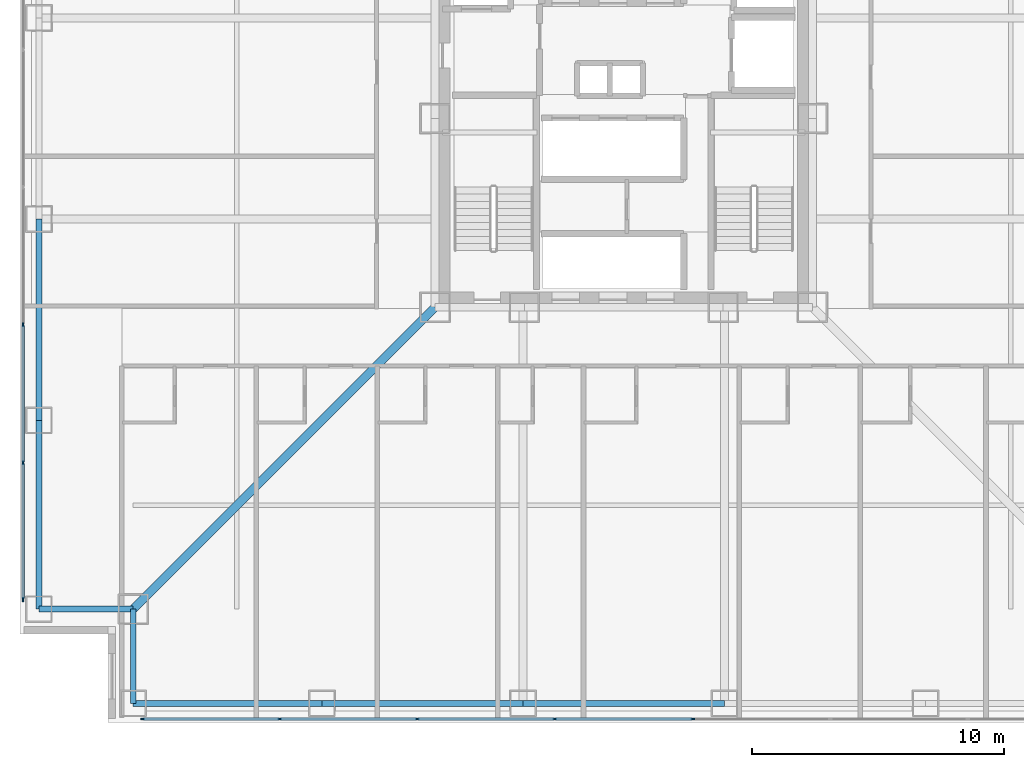
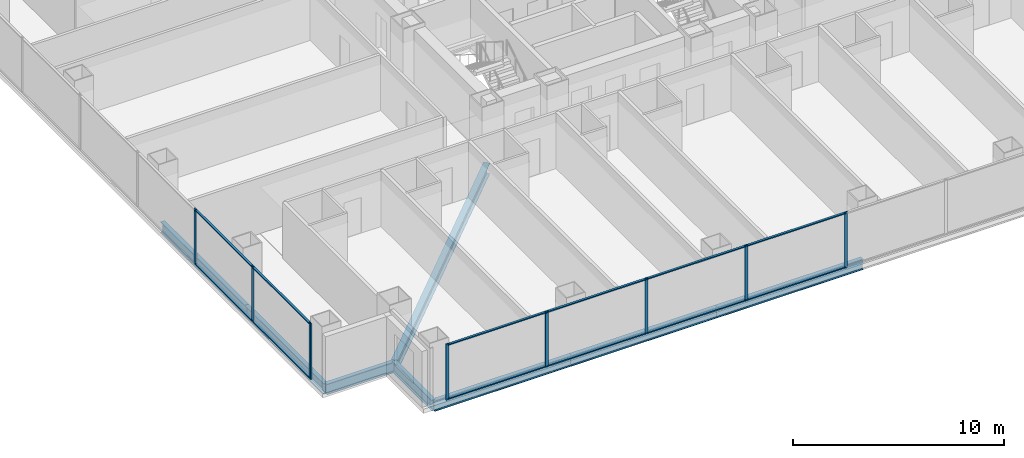
# One storey, part 2 of 20: 20 members, 8 beams, 2 elements without a shape of their own.
"""IFC4 building model written with IfcOpenShell, lengths in metres."""

from ifc_helpers import new_model, si_unit, direction, frame, origin, origin_2d, place, context, subcontext, project, spatial, rectangle, i_section, extrude, material, layer, layer_set, material_profile, profile_set, type_object, element, aggregate, save


model = new_model("IFC4")

# Units and contexts
model_context = context("Model", 3, precision=1e-05, world=origin(), true_north=direction((0.0, 1.0)))
body_context = subcontext(model_context, "Body", "Model", "MODEL_VIEW")
ifc_project = project(units=[si_unit("LENGTHUNIT", "METRE"), si_unit("AREAUNIT", "SQUARE_METRE"), si_unit("VOLUMEUNIT", "CUBIC_METRE"), si_unit("PLANEANGLEUNIT", "RADIAN"), si_unit("MASSUNIT", "GRAM", prefix="KILO")], contexts=[model_context])

# Site, building, storey
site_placement = place(None, origin())
site = spatial("IfcSite", under=ifc_project, at=site_placement, CompositionType="ELEMENT")
building_placement = place(site_placement, origin())
building = spatial("IfcBuilding", under=site, at=building_placement, Name="Trevonay Congress Spire", CompositionType="ELEMENT")
storey_placement = place(building_placement, frame((0.0, 0.0, 62.0)))
storey = spatial("IfcBuildingStorey", under=building, at=storey_placement, Name="L15", CompositionType="ELEMENT", Elevation=62.0)

# Beams
ifc_material_1 = material(Name="Steel ASTM A572 Grade 50", Category="steel")
ifc_material_profile_1 = material_profile(ifc_material_1, i_section(OverallWidth=0.324951171875, OverallDepth=0.615966796875, WebThickness=0.013916015625, FlangeThickness=0.021484375, FilletRadius=0.01806640625, at=origin_2d()), Name="W610x174")
ifc_profile_set_1 = profile_set([ifc_material_profile_1], Name="Steel ASTM A572 Grade 50")
beam_type_1 = type_object("IfcBeamType", Name="BM-GIRD-W610X174", PredefinedType="BEAM", material=ifc_profile_set_1)
beam_placement = place(storey_placement, frame((-7.5, -7.5, -0.55810546875), z_axis=(-0.707106781187, -0.707106781187, 0.0), x_axis=(0.707106781187, -0.707106781187, 0.0)))
element("IfcBeam", 1, at=beam_placement, inside=storey, type_object=beam_type_1, Name="L15 structural beam BM-L15-CDSW", PredefinedType="BEAM", context=body_context, shape_type="SweptSolid", body=[
    extrude(i_section(OverallWidth=0.324951171875, OverallDepth=0.615966796875, WebThickness=0.013916015625, FlangeThickness=0.021484375, FilletRadius=0.01806640625, at=origin_2d()), origin(), (0.0, 0.0, 1.0), 16.970458984375),
])
ifc_material_profile_2 = material_profile(ifc_material_1, i_section(OverallWidth=0.22998046875, OverallDepth=0.616943359375, WebThickness=0.01318359375, FlangeThickness=0.022216796875, FilletRadius=0.01611328125, at=origin_2d()), Name="W610x140")
ifc_profile_set_2 = profile_set([ifc_material_profile_2], Name="Steel ASTM A572 Grade 50")
beam_type_2 = type_object("IfcBeamType", Name="BM-RING-W610X140", PredefinedType="BEAM", material=ifc_profile_set_2)
for number, where, z_axis, x_axis, name in (
    (2, (-19.5, -23.25, -0.55859375), (1.0, 0.0, 0.0), (0.0, 1.0, 0.0), "L15 structural beam BM-L15-PS1"),
    (3, (-23.25, -19.5, -0.55859375), (0.0, 1.0, 0.0), (-1.0, 0.0, 0.0), "L15 structural beam BM-L15-PW1"),
):
    element("IfcBeam", number, at=place(storey_placement, frame(where, z_axis=z_axis, x_axis=x_axis)), inside=storey, type_object=beam_type_2, Name=name, PredefinedType="BEAM", context=body_context, shape_type="SweptSolid", body=[
        extrude(i_section(OverallWidth=0.22998046875, OverallDepth=0.616943359375, WebThickness=0.01318359375, FlangeThickness=0.022216796875, FilletRadius=0.01611328125, at=origin_2d()), origin(), (0.0, 0.0, 1.0), 7.5),
    ])
for number, where, z_axis, x_axis, name in (
    (4, (-12.0, -23.25, -0.55859375), (1.0, 0.0, 0.0), (0.0, 1.0, 0.0), "L15 structural beam BM-L15-PS2"),
    (5, (-23.25, -12.0, -0.55859375), (0.0, 1.0, 0.0), (-1.0, 0.0, 0.0), "L15 structural beam BM-L15-PW2"),
    (6, (-4.0, -23.25, -0.55859375), (1.0, 0.0, 0.0), (0.0, 1.0, 0.0), "L15 structural beam BM-L15-PS3"),
):
    element("IfcBeam", number, at=place(storey_placement, frame(where, z_axis=z_axis, x_axis=x_axis)), inside=storey, type_object=beam_type_2, Name=name, PredefinedType="BEAM", context=body_context, shape_type="SweptSolid", body=[
        extrude(i_section(OverallWidth=0.22998046875, OverallDepth=0.616943359375, WebThickness=0.01318359375, FlangeThickness=0.022216796875, FilletRadius=0.01611328125, at=origin_2d()), origin(), (0.0, 0.0, 1.0), 8.0),
    ])
for number, where, z_axis, x_axis, name in (
    (7, (-19.5, -23.25, -0.55859375), (0.0, 1.0, 0.0), (-1.0, 0.0, 0.0), "L15 structural beam BM-L15-N1SW"),
    (8, (-23.25, -19.5, -0.55859375), (1.0, 0.0, 0.0), (0.0, 1.0, 0.0), "L15 structural beam BM-L15-N2SW"),
):
    element("IfcBeam", number, at=place(storey_placement, frame(where, z_axis=z_axis, x_axis=x_axis)), inside=storey, type_object=beam_type_2, Name=name, PredefinedType="BEAM", context=body_context, shape_type="SweptSolid", body=[
        extrude(i_section(OverallWidth=0.22998046875, OverallDepth=0.616943359375, WebThickness=0.01318359375, FlangeThickness=0.022216796875, FilletRadius=0.01611328125, at=origin_2d()), origin(), (0.0, 0.0, 1.0), 3.75),
    ])

# Curtain wall, members
ifc_material_2 = material(Name="Pale Anodised Aluminium EN AW-6063-T6", Category="aluminium")
ifc_layer = layer(ifc_material_2, 0.179931640625, Name="Pale Anodised Aluminium EN AW-6063-T6")
ifc_layer_set = layer_set([ifc_layer], Name="Pale Anodised Aluminium EN AW-6063-T6")
curtain_wall_type = type_object("IfcCurtainWallType", Name="CW-SYS02-HOTEL-PALE-METAL", PredefinedType="NOTDEFINED", material=ifc_layer_set)
curtain_wall_1_placement = place(storey_placement, origin())
curtain_wall_1 = element("IfcCurtainWall", 9, at=curtain_wall_1_placement, inside=storey, type_object=curtain_wall_type, Name="L15 S unitised curtain wall", PredefinedType="NOTDEFINED")
ifc_material_profile_3 = material_profile(ifc_material_2, rectangle(XDim=0.06005859375, YDim=0.159912109375, at=origin_2d()), Name="CW-MULLION-160-ALUMINIUM")
ifc_profile_set_3 = profile_set([ifc_material_profile_3], Name="Pale Anodised Aluminium EN AW-6063-T6")
member_type_1 = type_object("IfcMemberType", Name="CW-MULLION-160-ALUMINIUM", PredefinedType="MULLION", material=ifc_profile_set_3)
member_1_placement = place(storey_placement, frame((-19.1201171875, -23.8798828125, 0.0), z_axis=(0.0, 0.0, 1.0), x_axis=(0.0, 1.0, 0.0)))
member_1 = element("IfcMember", 10, at=member_1_placement, type_object=member_type_1, Name="CW02 mullion 1", PredefinedType="MULLION", context=body_context, shape_type="SweptSolid", body=[
    extrude(rectangle(XDim=0.06005859375, YDim=0.159912109375, at=origin_2d()), origin(), (0.0, 0.0, 1.0), 3.25),
])
member_2_placement = place(storey_placement, frame((-13.678466796875, -23.8798828125, 0.0), z_axis=(0.0, 0.0, 1.0), x_axis=(0.0, 1.0, 0.0)))
member_2 = element("IfcMember", 11, at=member_2_placement, type_object=member_type_1, Name="CW02 mullion 2", PredefinedType="MULLION", context=body_context, shape_type="SweptSolid", body=[
    extrude(rectangle(XDim=0.06005859375, YDim=0.159912109375, at=origin_2d()), origin(), (0.0, 0.0, 1.0), 3.25),
])
member_3_placement = place(storey_placement, frame((-8.20703125, -23.8798828125, 0.0), z_axis=(0.0, 0.0, 1.0), x_axis=(0.0, 1.0, 0.0)))
member_3 = element("IfcMember", 12, at=member_3_placement, type_object=member_type_1, Name="CW02 mullion 3", PredefinedType="MULLION", context=body_context, shape_type="SweptSolid", body=[
    extrude(rectangle(XDim=0.06005859375, YDim=0.159912109375, at=origin_2d()), origin(), (0.0, 0.0, 1.0), 3.25),
])
member_4_placement = place(storey_placement, frame((-2.735595703125, -23.8798828125, 0.0), z_axis=(0.0, 0.0, 1.0), x_axis=(0.0, 1.0, 0.0)))
member_4 = element("IfcMember", 13, at=member_4_placement, type_object=member_type_1, Name="CW02 mullion 4", PredefinedType="MULLION", context=body_context, shape_type="SweptSolid", body=[
    extrude(rectangle(XDim=0.06005859375, YDim=0.159912109375, at=origin_2d()), origin(), (0.0, 0.0, 1.0), 3.25),
])
member_5_placement = place(storey_placement, frame((2.735595703125, -23.8798828125, 0.0), z_axis=(0.0, 0.0, 1.0), x_axis=(0.0, 1.0, 0.0)))
member_5 = element("IfcMember", 14, at=member_5_placement, type_object=member_type_1, Name="CW02 mullion 5", PredefinedType="MULLION", context=body_context, shape_type="SweptSolid", body=[
    extrude(rectangle(XDim=0.06005859375, YDim=0.159912109375, at=origin_2d()), origin(), (0.0, 0.0, 1.0), 3.25),
])

curtain_wall_2_placement = place(storey_placement, origin())
curtain_wall_2 = element("IfcCurtainWall", 15, at=curtain_wall_2_placement, inside=storey, type_object=curtain_wall_type, Name="L15 W unitised curtain wall", PredefinedType="NOTDEFINED")
member_6_placement = place(storey_placement, frame((-23.8798828125, -19.1201171875, 0.0), z_axis=(0.0, 0.0, 1.0), x_axis=(-1.0, 0.0, 0.0)))
member_6 = element("IfcMember", 16, at=member_6_placement, type_object=member_type_1, Name="CW02 mullion 1", PredefinedType="MULLION", context=body_context, shape_type="SweptSolid", body=[
    extrude(rectangle(XDim=0.06005859375, YDim=0.159912109375, at=origin_2d()), origin(), (0.0, 0.0, 1.0), 3.25),
])
member_7_placement = place(storey_placement, frame((-23.8798828125, -13.678466796875, 0.0), z_axis=(0.0, 0.0, 1.0), x_axis=(-1.0, 0.0, 0.0)))
member_7 = element("IfcMember", 17, at=member_7_placement, type_object=member_type_1, Name="CW02 mullion 2", PredefinedType="MULLION", context=body_context, shape_type="SweptSolid", body=[
    extrude(rectangle(XDim=0.06005859375, YDim=0.159912109375, at=origin_2d()), origin(), (0.0, 0.0, 1.0), 3.25),
])
member_8_placement = place(storey_placement, frame((-23.8798828125, -8.20703125, 0.0), z_axis=(0.0, 0.0, 1.0), x_axis=(-1.0, 0.0, 0.0)))
member_8 = element("IfcMember", 18, at=member_8_placement, type_object=member_type_1, Name="CW02 mullion 3", PredefinedType="MULLION", context=body_context, shape_type="SweptSolid", body=[
    extrude(rectangle(XDim=0.06005859375, YDim=0.159912109375, at=origin_2d()), origin(), (0.0, 0.0, 1.0), 3.25),
])

# Member
ifc_material_profile_4 = material_profile(ifc_material_2, rectangle(XDim=0.1201171875, YDim=0.06005859375, at=origin_2d()), Name="CW-TRANSOM-120-ALUMINIUM")
ifc_profile_set_4 = profile_set([ifc_material_profile_4], Name="Pale Anodised Aluminium EN AW-6063-T6")
member_type_2 = type_object("IfcMemberType", Name="CW-TRANSOM-120-ALUMINIUM", PredefinedType="USERDEFINED", material=ifc_profile_set_4)
member_9_placement = place(storey_placement, frame((-19.090087890625, -23.8798828125, 0.06005859375), z_axis=(1.0, 0.0, 0.0), x_axis=(0.0, 1.0, 0.0)))
member_9 = element("IfcMember", 19, at=member_9_placement, type_object=member_type_2, Name="CW02 transom 1.1", ObjectType="TRANSOM", PredefinedType="USERDEFINED", context=body_context, shape_type="SweptSolid", body=[
    extrude(rectangle(XDim=0.1201171875, YDim=0.06005859375, at=origin_2d()), origin(), (0.0, 0.0, 1.0), 5.381591796875),
])

member_10_placement = place(storey_placement, frame((-19.090087890625, -23.8798828125, 3.18994140625), z_axis=(1.0, 0.0, 0.0), x_axis=(0.0, 1.0, 0.0)))
member_10 = element("IfcMember", 20, at=member_10_placement, type_object=member_type_2, Name="CW02 transom 1.2", ObjectType="TRANSOM", PredefinedType="USERDEFINED", context=body_context, shape_type="SweptSolid", body=[
    extrude(rectangle(XDim=0.1201171875, YDim=0.06005859375, at=origin_2d()), origin(), (0.0, 0.0, 1.0), 5.381591796875),
])

member_11_placement = place(storey_placement, frame((-13.648681640625, -23.8798828125, 0.06005859375), z_axis=(1.0, 0.0, 0.0), x_axis=(0.0, 1.0, 0.0)))
member_11 = element("IfcMember", 21, at=member_11_placement, type_object=member_type_2, Name="CW02 transom 2.1", ObjectType="TRANSOM", PredefinedType="USERDEFINED", context=body_context, shape_type="SweptSolid", body=[
    extrude(rectangle(XDim=0.1201171875, YDim=0.06005859375, at=origin_2d()), origin(), (0.0, 0.0, 1.0), 5.41162109375),
])

member_12_placement = place(storey_placement, frame((-13.648681640625, -23.8798828125, 3.18994140625), z_axis=(1.0, 0.0, 0.0), x_axis=(0.0, 1.0, 0.0)))
member_12 = element("IfcMember", 22, at=member_12_placement, type_object=member_type_2, Name="CW02 transom 2.2", ObjectType="TRANSOM", PredefinedType="USERDEFINED", context=body_context, shape_type="SweptSolid", body=[
    extrude(rectangle(XDim=0.1201171875, YDim=0.06005859375, at=origin_2d()), origin(), (0.0, 0.0, 1.0), 5.41162109375),
])

member_13_placement = place(storey_placement, frame((-8.17724609375, -23.8798828125, 0.06005859375), z_axis=(1.0, 0.0, 0.0), x_axis=(0.0, 1.0, 0.0)))
member_13 = element("IfcMember", 23, at=member_13_placement, type_object=member_type_2, Name="CW02 transom 3.1", ObjectType="TRANSOM", PredefinedType="USERDEFINED", context=body_context, shape_type="SweptSolid", body=[
    extrude(rectangle(XDim=0.1201171875, YDim=0.06005859375, at=origin_2d()), origin(), (0.0, 0.0, 1.0), 5.41162109375),
])

member_14_placement = place(storey_placement, frame((-8.17724609375, -23.8798828125, 3.18994140625), z_axis=(1.0, 0.0, 0.0), x_axis=(0.0, 1.0, 0.0)))
member_14 = element("IfcMember", 24, at=member_14_placement, type_object=member_type_2, Name="CW02 transom 3.2", ObjectType="TRANSOM", PredefinedType="USERDEFINED", context=body_context, shape_type="SweptSolid", body=[
    extrude(rectangle(XDim=0.1201171875, YDim=0.06005859375, at=origin_2d()), origin(), (0.0, 0.0, 1.0), 5.41162109375),
])

member_15_placement = place(storey_placement, frame((-2.705810546875, -23.8798828125, 0.06005859375), z_axis=(1.0, 0.0, 0.0), x_axis=(0.0, 1.0, 0.0)))
member_15 = element("IfcMember", 25, at=member_15_placement, type_object=member_type_2, Name="CW02 transom 4.1", ObjectType="TRANSOM", PredefinedType="USERDEFINED", context=body_context, shape_type="SweptSolid", body=[
    extrude(rectangle(XDim=0.1201171875, YDim=0.06005859375, at=origin_2d()), origin(), (0.0, 0.0, 1.0), 5.41162109375),
])

member_16_placement = place(storey_placement, frame((-2.705810546875, -23.8798828125, 3.18994140625), z_axis=(1.0, 0.0, 0.0), x_axis=(0.0, 1.0, 0.0)))
member_16 = element("IfcMember", 26, at=member_16_placement, type_object=member_type_2, Name="CW02 transom 4.2", ObjectType="TRANSOM", PredefinedType="USERDEFINED", context=body_context, shape_type="SweptSolid", body=[
    extrude(rectangle(XDim=0.1201171875, YDim=0.06005859375, at=origin_2d()), origin(), (0.0, 0.0, 1.0), 5.41162109375),
])

aggregate(curtain_wall_1, [member_1, member_2, member_3, member_4, member_5, member_9, member_10, member_11, member_12, member_13, member_14, member_15, member_16])

member_17_placement = place(storey_placement, frame((-23.8798828125, -19.090087890625, 0.06005859375), z_axis=(0.0, 1.0, 0.0), x_axis=(-1.0, 0.0, 0.0)))
member_17 = element("IfcMember", 27, at=member_17_placement, type_object=member_type_2, Name="CW02 transom 1.1", ObjectType="TRANSOM", PredefinedType="USERDEFINED", context=body_context, shape_type="SweptSolid", body=[
    extrude(rectangle(XDim=0.1201171875, YDim=0.06005859375, at=origin_2d()), origin(), (0.0, 0.0, 1.0), 5.381591796875),
])

member_18_placement = place(storey_placement, frame((-23.8798828125, -19.090087890625, 3.18994140625), z_axis=(0.0, 1.0, 0.0), x_axis=(-1.0, 0.0, 0.0)))
member_18 = element("IfcMember", 28, at=member_18_placement, type_object=member_type_2, Name="CW02 transom 1.2", ObjectType="TRANSOM", PredefinedType="USERDEFINED", context=body_context, shape_type="SweptSolid", body=[
    extrude(rectangle(XDim=0.1201171875, YDim=0.06005859375, at=origin_2d()), origin(), (0.0, 0.0, 1.0), 5.381591796875),
])

member_19_placement = place(storey_placement, frame((-23.8798828125, -13.648681640625, 0.06005859375), z_axis=(0.0, 1.0, 0.0), x_axis=(-1.0, 0.0, 0.0)))
member_19 = element("IfcMember", 29, at=member_19_placement, type_object=member_type_2, Name="CW02 transom 2.1", ObjectType="TRANSOM", PredefinedType="USERDEFINED", context=body_context, shape_type="SweptSolid", body=[
    extrude(rectangle(XDim=0.1201171875, YDim=0.06005859375, at=origin_2d()), origin(), (0.0, 0.0, 1.0), 5.41162109375),
])

member_20_placement = place(storey_placement, frame((-23.8798828125, -13.648681640625, 3.18994140625), z_axis=(0.0, 1.0, 0.0), x_axis=(-1.0, 0.0, 0.0)))
member_20 = element("IfcMember", 30, at=member_20_placement, type_object=member_type_2, Name="CW02 transom 2.2", ObjectType="TRANSOM", PredefinedType="USERDEFINED", context=body_context, shape_type="SweptSolid", body=[
    extrude(rectangle(XDim=0.1201171875, YDim=0.06005859375, at=origin_2d()), origin(), (0.0, 0.0, 1.0), 5.41162109375),
])

aggregate(curtain_wall_2, [member_6, member_7, member_8, member_17, member_18, member_19, member_20])

save(model, "model.ifc")
